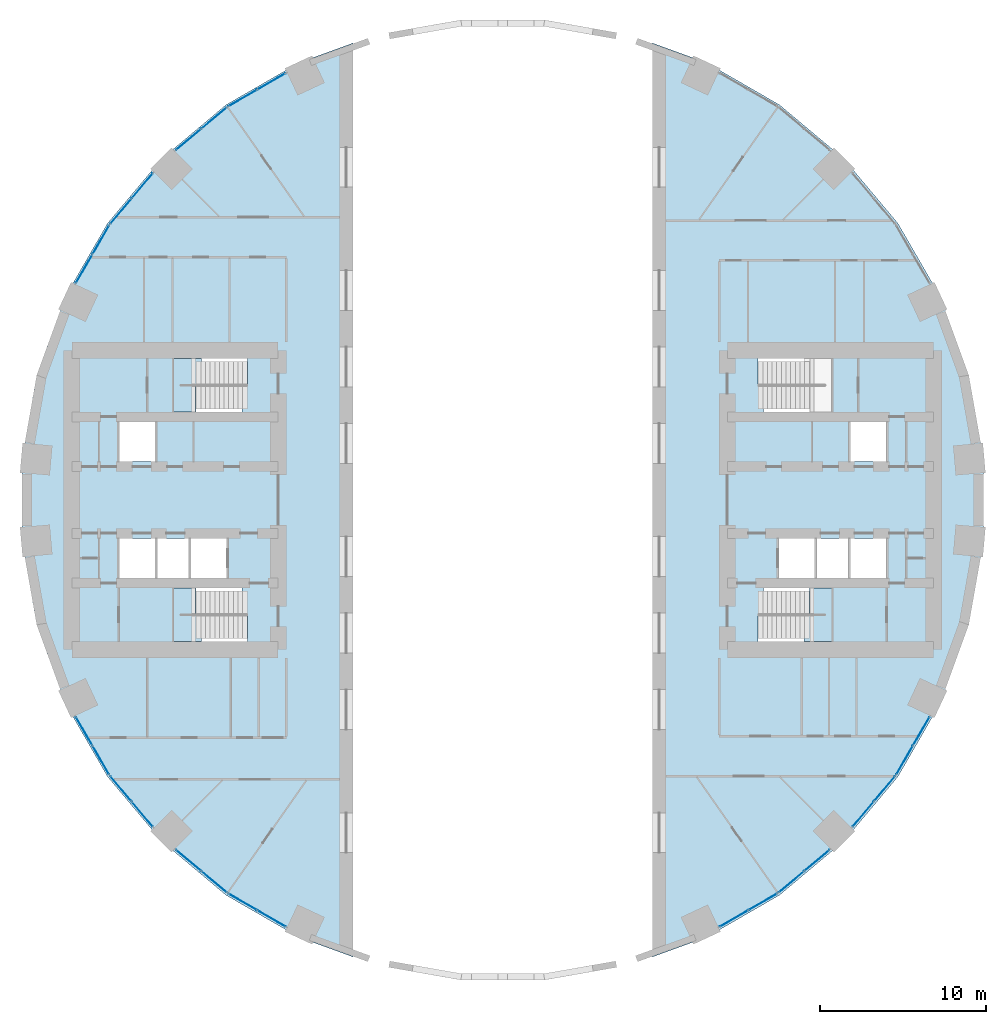
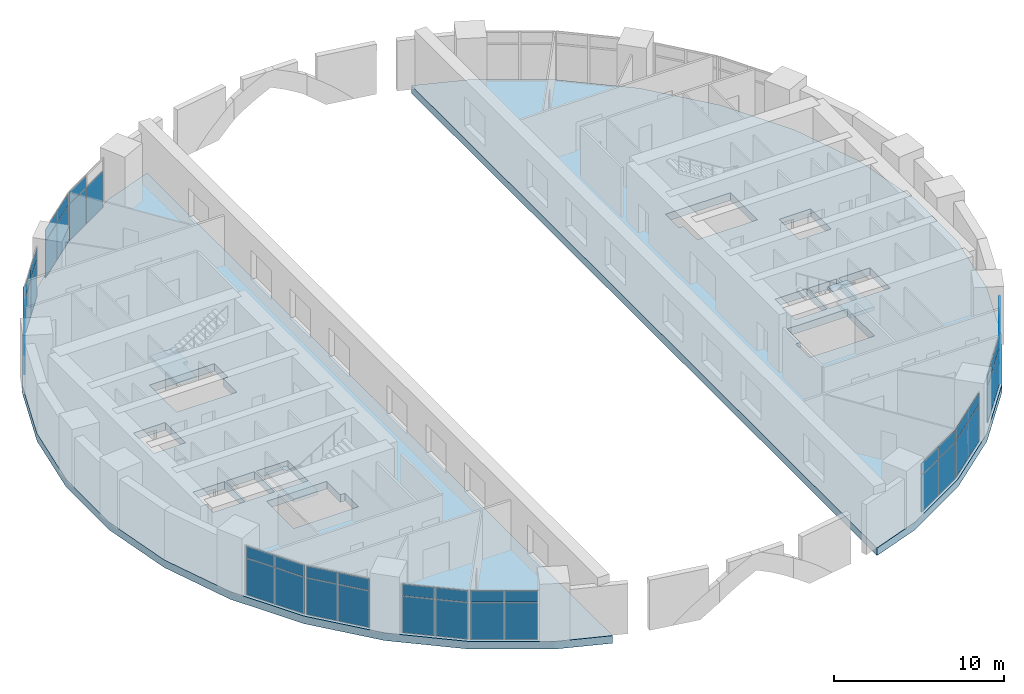
# One storey, part 8 of 15: 47 plates, 5 slabs, 15 elements without a shape of their own.
"""IFC4 building model written with IfcOpenShell, lengths in metres."""

from ifc_helpers import new_model, si_unit, direction, frame, origin, origin_2d, place, context, subcontext, project, spatial, polyline, rectangle, outline, extrude, material, layer, layer_set, type_object, element, aggregate, save


model = new_model("IFC4")

# Units and contexts
model_context = context("Model", 3, precision=1e-05, world=origin(), true_north=direction((0.0, 1.0)))
body_context = subcontext(model_context, "Body", "Model", "MODEL_VIEW")
ifc_project = project(units=[si_unit("LENGTHUNIT", "METRE"), si_unit("AREAUNIT", "SQUARE_METRE"), si_unit("VOLUMEUNIT", "CUBIC_METRE"), si_unit("PLANEANGLEUNIT", "RADIAN"), si_unit("MASSUNIT", "GRAM", prefix="KILO")], contexts=[model_context])

# Site, building, storey
site_placement = place(None, origin())
site = spatial("IfcSite", under=ifc_project, at=site_placement, CompositionType="ELEMENT")
building_placement = place(site_placement, origin())
building = spatial("IfcBuilding", under=site, at=building_placement, Name="Saqina Gate Tower", CompositionType="ELEMENT")
storey_placement = place(building_placement, frame((0.0, 0.0, 17.60009765625)))
storey = spatial("IfcBuildingStorey", under=building, at=storey_placement, Name="L04", CompositionType="ELEMENT", Elevation=17.60009765625)

# Curtain wall, plates
ifc_material_1 = material(Name="Aluminium glazing", Category="aluminium")
ifc_layer_1 = layer(ifc_material_1, 0.159912109375)
ifc_layer_set_1 = layer_set([ifc_layer_1], Name="CWT-1")
curtain_wall_type = type_object("IfcCurtainWallType", Name="CWT-1", PredefinedType="NOTDEFINED", material=ifc_layer_set_1)
curtain_wall_1_placement = place(storey_placement, origin())
curtain_wall_1 = element("IfcCurtainWall", 1, at=curtain_wall_1_placement, inside=storey, type_object=curtain_wall_type, Name="Podium shopfront facet 12", PredefinedType="NOTDEFINED")
ifc_material_2 = material(Name="Glass", Category="glass")
ifc_layer_2 = layer(ifc_material_2, 0.028076171875)
ifc_layer_set_2 = layer_set([ifc_layer_2], Name="CWT-1P")
plate_type = type_object("IfcPlateType", Name="CWT-1P", PredefinedType="CURTAIN_PANEL", material=ifc_layer_set_2)
plate_1_placement = place(storey_placement, frame((-13.90283203125, 25.158935546875, 0.06005859375), z_axis=(0.0, 0.0, 1.0), x_axis=(-0.866017381415, -0.500013894893, 0.0)))
plate_1 = element("IfcPlate", 2, at=plate_1_placement, type_object=plate_type, Name="CW1-12 panel 1.1", PredefinedType="CURTAIN_PANEL", context=body_context, shape_type="SweptSolid", body=[
    extrude(rectangle(XDim=1.944580078125, YDim=0.028076171875, at=origin_2d()), origin(), (0.0, 0.0, 1.0), 2.610107421875),
])
plate_2_placement = place(storey_placement, frame((-15.638671875, 24.15673828125, 0.06005859375), z_axis=(0.0, 0.0, 1.0), x_axis=(-0.866017381415, -0.500013894893, 0.0)))
plate_2 = element("IfcPlate", 3, at=plate_2_placement, type_object=plate_type, Name="CW1-12 panel 2.1", PredefinedType="CURTAIN_PANEL", context=body_context, shape_type="SweptSolid", body=[
    extrude(rectangle(XDim=1.944580078125, YDim=0.028076171875, at=origin_2d()), origin(), (0.0, 0.0, 1.0), 2.610107421875),
])
plate_3_placement = place(storey_placement, frame((-15.638671875, 24.15673828125, 2.72998046875), z_axis=(0.0, 0.0, 1.0), x_axis=(-0.866017381415, -0.500013894893, 0.0)))
plate_3 = element("IfcPlate", 4, at=plate_3_placement, type_object=plate_type, Name="CW1-12 panel 2.2", PredefinedType="CURTAIN_PANEL", context=body_context, shape_type="SweptSolid", body=[
    extrude(rectangle(XDim=1.944580078125, YDim=0.028076171875, at=origin_2d()), origin(), (0.0, 0.0, 1.0), 0.81005859375),
])
aggregate(curtain_wall_1, [plate_1, plate_2, plate_3])

curtain_wall_2_placement = place(storey_placement, origin())
curtain_wall_2 = element("IfcCurtainWall", 5, at=curtain_wall_2_placement, inside=storey, type_object=curtain_wall_type, Name="Podium shopfront facet 13", PredefinedType="NOTDEFINED")
plate_4_placement = place(storey_placement, frame((-17.35107421875, 22.957763671875, 0.06005859375), z_axis=(0.0, 0.0, 1.0), x_axis=(-0.766051396473, -0.642779322911, 0.0)))
plate_4 = element("IfcPlate", 6, at=plate_4_placement, type_object=plate_type, Name="CW1-13 panel 1.1", PredefinedType="CURTAIN_PANEL", context=body_context, shape_type="SweptSolid", body=[
    extrude(rectangle(XDim=1.944580078125, YDim=0.028076171875, at=origin_2d()), origin(), (0.0, 0.0, 1.0), 2.610107421875),
])
plate_5_placement = place(storey_placement, frame((-17.35107421875, 22.957763671875, 2.72998046875), z_axis=(0.0, 0.0, 1.0), x_axis=(-0.766051396473, -0.642779322911, 0.0)))
plate_5 = element("IfcPlate", 7, at=plate_5_placement, type_object=plate_type, Name="CW1-13 panel 1.2", PredefinedType="CURTAIN_PANEL", context=body_context, shape_type="SweptSolid", body=[
    extrude(rectangle(XDim=1.944580078125, YDim=0.028076171875, at=origin_2d()), origin(), (0.0, 0.0, 1.0), 0.81005859375),
])
plate_6_placement = place(storey_placement, frame((-18.88671875, 21.669189453125, 0.06005859375), z_axis=(0.0, 0.0, 1.0), x_axis=(-0.766051396473, -0.642779322911, 0.0)))
plate_6 = element("IfcPlate", 8, at=plate_6_placement, type_object=plate_type, Name="CW1-13 panel 2.1", PredefinedType="CURTAIN_PANEL", context=body_context, shape_type="SweptSolid", body=[
    extrude(rectangle(XDim=1.944580078125, YDim=0.028076171875, at=origin_2d()), origin(), (0.0, 0.0, 1.0), 2.610107421875),
])
plate_7_placement = place(storey_placement, frame((-18.88671875, 21.669189453125, 2.72998046875), z_axis=(0.0, 0.0, 1.0), x_axis=(-0.766051396473, -0.642779322911, 0.0)))
plate_7 = element("IfcPlate", 9, at=plate_7_placement, type_object=plate_type, Name="CW1-13 panel 2.2", PredefinedType="CURTAIN_PANEL", context=body_context, shape_type="SweptSolid", body=[
    extrude(rectangle(XDim=1.944580078125, YDim=0.028076171875, at=origin_2d()), origin(), (0.0, 0.0, 1.0), 0.81005859375),
])
aggregate(curtain_wall_2, [plate_4, plate_5, plate_6, plate_7])

curtain_wall_3_placement = place(storey_placement, origin())
curtain_wall_3 = element("IfcCurtainWall", 10, at=curtain_wall_3_placement, inside=storey, type_object=curtain_wall_type, Name="Podium shopfront facet 14", PredefinedType="NOTDEFINED")
plate_8_placement = place(storey_placement, frame((-21.669189453125, 18.88671875, 0.06005859375), z_axis=(0.0, 0.0, 1.0), x_axis=(-0.642779322911, -0.766051396473, 0.0)))
plate_8 = element("IfcPlate", 11, at=plate_8_placement, type_object=plate_type, Name="CW1-14 panel 1.1", PredefinedType="CURTAIN_PANEL", context=body_context, shape_type="SweptSolid", body=[
    extrude(rectangle(XDim=1.944580078125, YDim=0.028076171875, at=origin_2d()), origin(), (0.0, 0.0, 1.0), 2.610107421875),
])
plate_9_placement = place(storey_placement, frame((-21.669189453125, 18.88671875, 2.72998046875), z_axis=(0.0, 0.0, 1.0), x_axis=(-0.642779322911, -0.766051396473, 0.0)))
plate_9 = element("IfcPlate", 12, at=plate_9_placement, type_object=plate_type, Name="CW1-14 panel 1.2", PredefinedType="CURTAIN_PANEL", context=body_context, shape_type="SweptSolid", body=[
    extrude(rectangle(XDim=1.944580078125, YDim=0.028076171875, at=origin_2d()), origin(), (0.0, 0.0, 1.0), 0.81005859375),
])
plate_10_placement = place(storey_placement, frame((-22.957763671875, 17.35107421875, 0.06005859375), z_axis=(0.0, 0.0, 1.0), x_axis=(-0.642779322911, -0.766051396473, 0.0)))
plate_10 = element("IfcPlate", 13, at=plate_10_placement, type_object=plate_type, Name="CW1-14 panel 2.1", PredefinedType="CURTAIN_PANEL", context=body_context, shape_type="SweptSolid", body=[
    extrude(rectangle(XDim=1.944580078125, YDim=0.028076171875, at=origin_2d()), origin(), (0.0, 0.0, 1.0), 2.610107421875),
])
plate_11_placement = place(storey_placement, frame((-22.957763671875, 17.35107421875, 2.72998046875), z_axis=(0.0, 0.0, 1.0), x_axis=(-0.642779322911, -0.766051396473, 0.0)))
plate_11 = element("IfcPlate", 14, at=plate_11_placement, type_object=plate_type, Name="CW1-14 panel 2.2", PredefinedType="CURTAIN_PANEL", context=body_context, shape_type="SweptSolid", body=[
    extrude(rectangle(XDim=1.944580078125, YDim=0.028076171875, at=origin_2d()), origin(), (0.0, 0.0, 1.0), 0.81005859375),
])
aggregate(curtain_wall_3, [plate_8, plate_9, plate_10, plate_11])

curtain_wall_4_placement = place(storey_placement, origin())
curtain_wall_4 = element("IfcCurtainWall", 15, at=curtain_wall_4_placement, inside=storey, type_object=curtain_wall_type, Name="Podium shopfront facet 15", PredefinedType="NOTDEFINED")
plate_12_placement = place(storey_placement, frame((-24.15673828125, 15.638671875, 0.06005859375), z_axis=(0.0, 0.0, 1.0), x_axis=(-0.500013894893, -0.866017381415, 0.0)))
plate_12 = element("IfcPlate", 16, at=plate_12_placement, type_object=plate_type, Name="CW1-15 panel 1.1", PredefinedType="CURTAIN_PANEL", context=body_context, shape_type="SweptSolid", body=[
    extrude(rectangle(XDim=1.944580078125, YDim=0.028076171875, at=origin_2d()), origin(), (0.0, 0.0, 1.0), 2.610107421875),
])
plate_13_placement = place(storey_placement, frame((-24.15673828125, 15.638671875, 2.72998046875), z_axis=(0.0, 0.0, 1.0), x_axis=(-0.500013894893, -0.866017381415, 0.0)))
plate_13 = element("IfcPlate", 17, at=plate_13_placement, type_object=plate_type, Name="CW1-15 panel 1.2", PredefinedType="CURTAIN_PANEL", context=body_context, shape_type="SweptSolid", body=[
    extrude(rectangle(XDim=1.944580078125, YDim=0.028076171875, at=origin_2d()), origin(), (0.0, 0.0, 1.0), 0.81005859375),
])
plate_14_placement = place(storey_placement, frame((-25.158935546875, 13.90283203125, 0.06005859375), z_axis=(0.0, 0.0, 1.0), x_axis=(-0.500013894893, -0.866017381415, 0.0)))
plate_14 = element("IfcPlate", 18, at=plate_14_placement, type_object=plate_type, Name="CW1-15 panel 2.1", PredefinedType="CURTAIN_PANEL", context=body_context, shape_type="SweptSolid", body=[
    extrude(rectangle(XDim=1.944580078125, YDim=0.028076171875, at=origin_2d()), origin(), (0.0, 0.0, 1.0), 2.610107421875),
])
plate_15_placement = place(storey_placement, frame((-25.158935546875, 13.90283203125, 2.72998046875), z_axis=(0.0, 0.0, 1.0), x_axis=(-0.500013894893, -0.866017381415, 0.0)))
plate_15 = element("IfcPlate", 19, at=plate_15_placement, type_object=plate_type, Name="CW1-15 panel 2.2", PredefinedType="CURTAIN_PANEL", context=body_context, shape_type="SweptSolid", body=[
    extrude(rectangle(XDim=1.944580078125, YDim=0.028076171875, at=origin_2d()), origin(), (0.0, 0.0, 1.0), 0.81005859375),
])
aggregate(curtain_wall_4, [plate_12, plate_13, plate_14, plate_15])

curtain_wall_5_placement = place(storey_placement, origin())
curtain_wall_5 = element("IfcCurtainWall", 20, at=curtain_wall_5_placement, inside=storey, type_object=curtain_wall_type, Name="Podium shopfront facet 21", PredefinedType="NOTDEFINED")
plate_16_placement = place(storey_placement, frame((-25.158935546875, -13.90283203125, 0.06005859375), z_axis=(0.0, 0.0, 1.0), x_axis=(0.500013894893, -0.866017381415, 0.0)))
plate_16 = element("IfcPlate", 21, at=plate_16_placement, type_object=plate_type, Name="CW1-21 panel 1.1", PredefinedType="CURTAIN_PANEL", context=body_context, shape_type="SweptSolid", body=[
    extrude(rectangle(XDim=1.944580078125, YDim=0.028076171875, at=origin_2d()), origin(), (0.0, 0.0, 1.0), 2.610107421875),
])
plate_17_placement = place(storey_placement, frame((-25.158935546875, -13.90283203125, 2.72998046875), z_axis=(0.0, 0.0, 1.0), x_axis=(0.500013894893, -0.866017381415, 0.0)))
plate_17 = element("IfcPlate", 22, at=plate_17_placement, type_object=plate_type, Name="CW1-21 panel 1.2", PredefinedType="CURTAIN_PANEL", context=body_context, shape_type="SweptSolid", body=[
    extrude(rectangle(XDim=1.944580078125, YDim=0.028076171875, at=origin_2d()), origin(), (0.0, 0.0, 1.0), 0.81005859375),
])
plate_18_placement = place(storey_placement, frame((-24.15673828125, -15.638671875, 0.06005859375), z_axis=(0.0, 0.0, 1.0), x_axis=(0.500013894893, -0.866017381415, 0.0)))
plate_18 = element("IfcPlate", 23, at=plate_18_placement, type_object=plate_type, Name="CW1-21 panel 2.1", PredefinedType="CURTAIN_PANEL", context=body_context, shape_type="SweptSolid", body=[
    extrude(rectangle(XDim=1.944580078125, YDim=0.028076171875, at=origin_2d()), origin(), (0.0, 0.0, 1.0), 2.610107421875),
])
plate_19_placement = place(storey_placement, frame((-24.15673828125, -15.638671875, 2.72998046875), z_axis=(0.0, 0.0, 1.0), x_axis=(0.500013894893, -0.866017381415, 0.0)))
plate_19 = element("IfcPlate", 24, at=plate_19_placement, type_object=plate_type, Name="CW1-21 panel 2.2", PredefinedType="CURTAIN_PANEL", context=body_context, shape_type="SweptSolid", body=[
    extrude(rectangle(XDim=1.944580078125, YDim=0.028076171875, at=origin_2d()), origin(), (0.0, 0.0, 1.0), 0.81005859375),
])
aggregate(curtain_wall_5, [plate_16, plate_17, plate_18, plate_19])

curtain_wall_6_placement = place(storey_placement, origin())
curtain_wall_6 = element("IfcCurtainWall", 25, at=curtain_wall_6_placement, inside=storey, type_object=curtain_wall_type, Name="Podium shopfront facet 22", PredefinedType="NOTDEFINED")
plate_20_placement = place(storey_placement, frame((-22.957763671875, -17.35107421875, 0.06005859375), z_axis=(0.0, 0.0, 1.0), x_axis=(0.642779322911, -0.766051396473, 0.0)))
plate_20 = element("IfcPlate", 26, at=plate_20_placement, type_object=plate_type, Name="CW1-22 panel 1.1", PredefinedType="CURTAIN_PANEL", context=body_context, shape_type="SweptSolid", body=[
    extrude(rectangle(XDim=1.944580078125, YDim=0.028076171875, at=origin_2d()), origin(), (0.0, 0.0, 1.0), 2.610107421875),
])
plate_21_placement = place(storey_placement, frame((-22.957763671875, -17.35107421875, 2.72998046875), z_axis=(0.0, 0.0, 1.0), x_axis=(0.642779322911, -0.766051396473, 0.0)))
plate_21 = element("IfcPlate", 27, at=plate_21_placement, type_object=plate_type, Name="CW1-22 panel 1.2", PredefinedType="CURTAIN_PANEL", context=body_context, shape_type="SweptSolid", body=[
    extrude(rectangle(XDim=1.944580078125, YDim=0.028076171875, at=origin_2d()), origin(), (0.0, 0.0, 1.0), 0.81005859375),
])
plate_22_placement = place(storey_placement, frame((-21.669189453125, -18.88671875, 0.06005859375), z_axis=(0.0, 0.0, 1.0), x_axis=(0.642779322911, -0.766051396473, 0.0)))
plate_22 = element("IfcPlate", 28, at=plate_22_placement, type_object=plate_type, Name="CW1-22 panel 2.1", PredefinedType="CURTAIN_PANEL", context=body_context, shape_type="SweptSolid", body=[
    extrude(rectangle(XDim=1.944580078125, YDim=0.028076171875, at=origin_2d()), origin(), (0.0, 0.0, 1.0), 2.610107421875),
])
plate_23_placement = place(storey_placement, frame((-21.669189453125, -18.88671875, 2.72998046875), z_axis=(0.0, 0.0, 1.0), x_axis=(0.642779322911, -0.766051396473, 0.0)))
plate_23 = element("IfcPlate", 29, at=plate_23_placement, type_object=plate_type, Name="CW1-22 panel 2.2", PredefinedType="CURTAIN_PANEL", context=body_context, shape_type="SweptSolid", body=[
    extrude(rectangle(XDim=1.944580078125, YDim=0.028076171875, at=origin_2d()), origin(), (0.0, 0.0, 1.0), 0.81005859375),
])
aggregate(curtain_wall_6, [plate_20, plate_21, plate_22, plate_23])

curtain_wall_7_placement = place(storey_placement, origin())
curtain_wall_7 = element("IfcCurtainWall", 30, at=curtain_wall_7_placement, inside=storey, type_object=curtain_wall_type, Name="Podium shopfront facet 23", PredefinedType="NOTDEFINED")
plate_24_placement = place(storey_placement, frame((-18.88671875, -21.669189453125, 0.06005859375), z_axis=(0.0, 0.0, 1.0), x_axis=(0.766051396473, -0.642779322911, 0.0)))
plate_24 = element("IfcPlate", 31, at=plate_24_placement, type_object=plate_type, Name="CW1-23 panel 1.1", PredefinedType="CURTAIN_PANEL", context=body_context, shape_type="SweptSolid", body=[
    extrude(rectangle(XDim=1.944580078125, YDim=0.028076171875, at=origin_2d()), origin(), (0.0, 0.0, 1.0), 2.610107421875),
])
plate_25_placement = place(storey_placement, frame((-18.88671875, -21.669189453125, 2.72998046875), z_axis=(0.0, 0.0, 1.0), x_axis=(0.766051396473, -0.642779322911, 0.0)))
plate_25 = element("IfcPlate", 32, at=plate_25_placement, type_object=plate_type, Name="CW1-23 panel 1.2", PredefinedType="CURTAIN_PANEL", context=body_context, shape_type="SweptSolid", body=[
    extrude(rectangle(XDim=1.944580078125, YDim=0.028076171875, at=origin_2d()), origin(), (0.0, 0.0, 1.0), 0.81005859375),
])
plate_26_placement = place(storey_placement, frame((-17.35107421875, -22.957763671875, 0.06005859375), z_axis=(0.0, 0.0, 1.0), x_axis=(0.766051396473, -0.642779322911, 0.0)))
plate_26 = element("IfcPlate", 33, at=plate_26_placement, type_object=plate_type, Name="CW1-23 panel 2.1", PredefinedType="CURTAIN_PANEL", context=body_context, shape_type="SweptSolid", body=[
    extrude(rectangle(XDim=1.944580078125, YDim=0.028076171875, at=origin_2d()), origin(), (0.0, 0.0, 1.0), 2.610107421875),
])
plate_27_placement = place(storey_placement, frame((-17.35107421875, -22.957763671875, 2.72998046875), z_axis=(0.0, 0.0, 1.0), x_axis=(0.766051396473, -0.642779322911, 0.0)))
plate_27 = element("IfcPlate", 34, at=plate_27_placement, type_object=plate_type, Name="CW1-23 panel 2.2", PredefinedType="CURTAIN_PANEL", context=body_context, shape_type="SweptSolid", body=[
    extrude(rectangle(XDim=1.944580078125, YDim=0.028076171875, at=origin_2d()), origin(), (0.0, 0.0, 1.0), 0.81005859375),
])
aggregate(curtain_wall_7, [plate_24, plate_25, plate_26, plate_27])

curtain_wall_8_placement = place(storey_placement, origin())
curtain_wall_8 = element("IfcCurtainWall", 35, at=curtain_wall_8_placement, inside=storey, type_object=curtain_wall_type, Name="Podium shopfront facet 24", PredefinedType="NOTDEFINED")
plate_28_placement = place(storey_placement, frame((-15.638671875, -24.15673828125, 0.06005859375), z_axis=(0.0, 0.0, 1.0), x_axis=(0.866017381415, -0.500013894893, 0.0)))
plate_28 = element("IfcPlate", 36, at=plate_28_placement, type_object=plate_type, Name="CW1-24 panel 1.1", PredefinedType="CURTAIN_PANEL", context=body_context, shape_type="SweptSolid", body=[
    extrude(rectangle(XDim=1.944580078125, YDim=0.028076171875, at=origin_2d()), origin(), (0.0, 0.0, 1.0), 2.610107421875),
])
plate_29_placement = place(storey_placement, frame((-15.638671875, -24.15673828125, 2.72998046875), z_axis=(0.0, 0.0, 1.0), x_axis=(0.866017381415, -0.500013894893, 0.0)))
plate_29 = element("IfcPlate", 37, at=plate_29_placement, type_object=plate_type, Name="CW1-24 panel 1.2", PredefinedType="CURTAIN_PANEL", context=body_context, shape_type="SweptSolid", body=[
    extrude(rectangle(XDim=1.944580078125, YDim=0.028076171875, at=origin_2d()), origin(), (0.0, 0.0, 1.0), 0.81005859375),
])
plate_30_placement = place(storey_placement, frame((-13.90283203125, -25.158935546875, 0.06005859375), z_axis=(0.0, 0.0, 1.0), x_axis=(0.866017381415, -0.500013894893, 0.0)))
plate_30 = element("IfcPlate", 38, at=plate_30_placement, type_object=plate_type, Name="CW1-24 panel 2.1", PredefinedType="CURTAIN_PANEL", context=body_context, shape_type="SweptSolid", body=[
    extrude(rectangle(XDim=1.944580078125, YDim=0.028076171875, at=origin_2d()), origin(), (0.0, 0.0, 1.0), 2.610107421875),
])
plate_31_placement = place(storey_placement, frame((-13.90283203125, -25.158935546875, 2.72998046875), z_axis=(0.0, 0.0, 1.0), x_axis=(0.866017381415, -0.500013894893, 0.0)))
plate_31 = element("IfcPlate", 39, at=plate_31_placement, type_object=plate_type, Name="CW1-24 panel 2.2", PredefinedType="CURTAIN_PANEL", context=body_context, shape_type="SweptSolid", body=[
    extrude(rectangle(XDim=1.944580078125, YDim=0.028076171875, at=origin_2d()), origin(), (0.0, 0.0, 1.0), 0.81005859375),
])
aggregate(curtain_wall_8, [plate_28, plate_29, plate_30, plate_31])

curtain_wall_9_placement = place(storey_placement, origin())
curtain_wall_9 = element("IfcCurtainWall", 40, at=curtain_wall_9_placement, inside=storey, type_object=curtain_wall_type, Name="Podium shopfront facet 30", PredefinedType="NOTDEFINED")
plate_32_placement = place(storey_placement, frame((13.90283203125, -25.158935546875, 0.06005859375), z_axis=(0.0, 0.0, 1.0), x_axis=(0.866017381415, 0.500013894893, 0.0)))
plate_32 = element("IfcPlate", 41, at=plate_32_placement, type_object=plate_type, Name="CW1-30 panel 1.1", PredefinedType="CURTAIN_PANEL", context=body_context, shape_type="SweptSolid", body=[
    extrude(rectangle(XDim=1.944580078125, YDim=0.028076171875, at=origin_2d()), origin(), (0.0, 0.0, 1.0), 2.610107421875),
])
plate_33_placement = place(storey_placement, frame((13.90283203125, -25.158935546875, 2.72998046875), z_axis=(0.0, 0.0, 1.0), x_axis=(0.866017381415, 0.500013894893, 0.0)))
plate_33 = element("IfcPlate", 42, at=plate_33_placement, type_object=plate_type, Name="CW1-30 panel 1.2", PredefinedType="CURTAIN_PANEL", context=body_context, shape_type="SweptSolid", body=[
    extrude(rectangle(XDim=1.944580078125, YDim=0.028076171875, at=origin_2d()), origin(), (0.0, 0.0, 1.0), 0.81005859375),
])
plate_34_placement = place(storey_placement, frame((15.638671875, -24.15673828125, 0.06005859375), z_axis=(0.0, 0.0, 1.0), x_axis=(0.866017381415, 0.500013894893, 0.0)))
plate_34 = element("IfcPlate", 43, at=plate_34_placement, type_object=plate_type, Name="CW1-30 panel 2.1", PredefinedType="CURTAIN_PANEL", context=body_context, shape_type="SweptSolid", body=[
    extrude(rectangle(XDim=1.944580078125, YDim=0.028076171875, at=origin_2d()), origin(), (0.0, 0.0, 1.0), 2.610107421875),
])
plate_35_placement = place(storey_placement, frame((15.638671875, -24.15673828125, 2.72998046875), z_axis=(0.0, 0.0, 1.0), x_axis=(0.866017381415, 0.500013894893, 0.0)))
plate_35 = element("IfcPlate", 44, at=plate_35_placement, type_object=plate_type, Name="CW1-30 panel 2.2", PredefinedType="CURTAIN_PANEL", context=body_context, shape_type="SweptSolid", body=[
    extrude(rectangle(XDim=1.944580078125, YDim=0.028076171875, at=origin_2d()), origin(), (0.0, 0.0, 1.0), 0.81005859375),
])
aggregate(curtain_wall_9, [plate_32, plate_33, plate_34, plate_35])

curtain_wall_10_placement = place(storey_placement, origin())
curtain_wall_10 = element("IfcCurtainWall", 45, at=curtain_wall_10_placement, inside=storey, type_object=curtain_wall_type, Name="Podium shopfront facet 31", PredefinedType="NOTDEFINED")
plate_36_placement = place(storey_placement, frame((17.35107421875, -22.957763671875, 0.06005859375), z_axis=(0.0, 0.0, 1.0), x_axis=(0.766051396473, 0.642779322911, 0.0)))
plate_36 = element("IfcPlate", 46, at=plate_36_placement, type_object=plate_type, Name="CW1-31 panel 1.1", PredefinedType="CURTAIN_PANEL", context=body_context, shape_type="SweptSolid", body=[
    extrude(rectangle(XDim=1.944580078125, YDim=0.028076171875, at=origin_2d()), origin(), (0.0, 0.0, 1.0), 2.610107421875),
])
plate_37_placement = place(storey_placement, frame((17.35107421875, -22.957763671875, 2.72998046875), z_axis=(0.0, 0.0, 1.0), x_axis=(0.766051396473, 0.642779322911, 0.0)))
plate_37 = element("IfcPlate", 47, at=plate_37_placement, type_object=plate_type, Name="CW1-31 panel 1.2", PredefinedType="CURTAIN_PANEL", context=body_context, shape_type="SweptSolid", body=[
    extrude(rectangle(XDim=1.944580078125, YDim=0.028076171875, at=origin_2d()), origin(), (0.0, 0.0, 1.0), 0.81005859375),
])
plate_38_placement = place(storey_placement, frame((18.88671875, -21.669189453125, 0.06005859375), z_axis=(0.0, 0.0, 1.0), x_axis=(0.766051396473, 0.642779322911, 0.0)))
plate_38 = element("IfcPlate", 48, at=plate_38_placement, type_object=plate_type, Name="CW1-31 panel 2.1", PredefinedType="CURTAIN_PANEL", context=body_context, shape_type="SweptSolid", body=[
    extrude(rectangle(XDim=1.944580078125, YDim=0.028076171875, at=origin_2d()), origin(), (0.0, 0.0, 1.0), 2.610107421875),
])
plate_39_placement = place(storey_placement, frame((18.88671875, -21.669189453125, 2.72998046875), z_axis=(0.0, 0.0, 1.0), x_axis=(0.766051396473, 0.642779322911, 0.0)))
plate_39 = element("IfcPlate", 49, at=plate_39_placement, type_object=plate_type, Name="CW1-31 panel 2.2", PredefinedType="CURTAIN_PANEL", context=body_context, shape_type="SweptSolid", body=[
    extrude(rectangle(XDim=1.944580078125, YDim=0.028076171875, at=origin_2d()), origin(), (0.0, 0.0, 1.0), 0.81005859375),
])
aggregate(curtain_wall_10, [plate_36, plate_37, plate_38, plate_39])

curtain_wall_11_placement = place(storey_placement, origin())
curtain_wall_11 = element("IfcCurtainWall", 50, at=curtain_wall_11_placement, inside=storey, type_object=curtain_wall_type, Name="Podium shopfront facet 32", PredefinedType="NOTDEFINED")
plate_40_placement = place(storey_placement, frame((21.669189453125, -18.88671875, 0.06005859375), z_axis=(0.0, 0.0, 1.0), x_axis=(0.642779322911, 0.766051396473, 0.0)))
plate_40 = element("IfcPlate", 51, at=plate_40_placement, type_object=plate_type, Name="CW1-32 panel 1.1", PredefinedType="CURTAIN_PANEL", context=body_context, shape_type="SweptSolid", body=[
    extrude(rectangle(XDim=1.944580078125, YDim=0.028076171875, at=origin_2d()), origin(), (0.0, 0.0, 1.0), 2.610107421875),
])
plate_41_placement = place(storey_placement, frame((21.669189453125, -18.88671875, 2.72998046875), z_axis=(0.0, 0.0, 1.0), x_axis=(0.642779322911, 0.766051396473, 0.0)))
plate_41 = element("IfcPlate", 52, at=plate_41_placement, type_object=plate_type, Name="CW1-32 panel 1.2", PredefinedType="CURTAIN_PANEL", context=body_context, shape_type="SweptSolid", body=[
    extrude(rectangle(XDim=1.944580078125, YDim=0.028076171875, at=origin_2d()), origin(), (0.0, 0.0, 1.0), 0.81005859375),
])
plate_42_placement = place(storey_placement, frame((22.957763671875, -17.35107421875, 0.06005859375), z_axis=(0.0, 0.0, 1.0), x_axis=(0.642779322911, 0.766051396473, 0.0)))
plate_42 = element("IfcPlate", 53, at=plate_42_placement, type_object=plate_type, Name="CW1-32 panel 2.1", PredefinedType="CURTAIN_PANEL", context=body_context, shape_type="SweptSolid", body=[
    extrude(rectangle(XDim=1.944580078125, YDim=0.028076171875, at=origin_2d()), origin(), (0.0, 0.0, 1.0), 2.610107421875),
])
plate_43_placement = place(storey_placement, frame((22.957763671875, -17.35107421875, 2.72998046875), z_axis=(0.0, 0.0, 1.0), x_axis=(0.642779322911, 0.766051396473, 0.0)))
plate_43 = element("IfcPlate", 54, at=plate_43_placement, type_object=plate_type, Name="CW1-32 panel 2.2", PredefinedType="CURTAIN_PANEL", context=body_context, shape_type="SweptSolid", body=[
    extrude(rectangle(XDim=1.944580078125, YDim=0.028076171875, at=origin_2d()), origin(), (0.0, 0.0, 1.0), 0.81005859375),
])
aggregate(curtain_wall_11, [plate_40, plate_41, plate_42, plate_43])

curtain_wall_12_placement = place(storey_placement, origin())
curtain_wall_12 = element("IfcCurtainWall", 55, at=curtain_wall_12_placement, inside=storey, type_object=curtain_wall_type, Name="Podium shopfront facet 33", PredefinedType="NOTDEFINED")
plate_44_placement = place(storey_placement, frame((24.15673828125, -15.638671875, 0.06005859375), z_axis=(0.0, 0.0, 1.0), x_axis=(0.500013894893, 0.866017381415, 0.0)))
plate_44 = element("IfcPlate", 56, at=plate_44_placement, type_object=plate_type, Name="CW1-33 panel 1.1", PredefinedType="CURTAIN_PANEL", context=body_context, shape_type="SweptSolid", body=[
    extrude(rectangle(XDim=1.944580078125, YDim=0.028076171875, at=origin_2d()), origin(), (0.0, 0.0, 1.0), 2.610107421875),
])
plate_45_placement = place(storey_placement, frame((24.15673828125, -15.638671875, 2.72998046875), z_axis=(0.0, 0.0, 1.0), x_axis=(0.500013894893, 0.866017381415, 0.0)))
plate_45 = element("IfcPlate", 57, at=plate_45_placement, type_object=plate_type, Name="CW1-33 panel 1.2", PredefinedType="CURTAIN_PANEL", context=body_context, shape_type="SweptSolid", body=[
    extrude(rectangle(XDim=1.944580078125, YDim=0.028076171875, at=origin_2d()), origin(), (0.0, 0.0, 1.0), 0.81005859375),
])
plate_46_placement = place(storey_placement, frame((25.158935546875, -13.90283203125, 0.06005859375), z_axis=(0.0, 0.0, 1.0), x_axis=(0.500013894893, 0.866017381415, 0.0)))
plate_46 = element("IfcPlate", 58, at=plate_46_placement, type_object=plate_type, Name="CW1-33 panel 2.1", PredefinedType="CURTAIN_PANEL", context=body_context, shape_type="SweptSolid", body=[
    extrude(rectangle(XDim=1.944580078125, YDim=0.028076171875, at=origin_2d()), origin(), (0.0, 0.0, 1.0), 2.610107421875),
])
plate_47_placement = place(storey_placement, frame((25.158935546875, -13.90283203125, 2.72998046875), z_axis=(0.0, 0.0, 1.0), x_axis=(0.500013894893, 0.866017381415, 0.0)))
plate_47 = element("IfcPlate", 59, at=plate_47_placement, type_object=plate_type, Name="CW1-33 panel 2.2", PredefinedType="CURTAIN_PANEL", context=body_context, shape_type="SweptSolid", body=[
    extrude(rectangle(XDim=1.944580078125, YDim=0.028076171875, at=origin_2d()), origin(), (0.0, 0.0, 1.0), 0.81005859375),
])
aggregate(curtain_wall_12, [plate_44, plate_45, plate_46, plate_47])

# Stair, slab
ifc_material_3 = material(Name="Concrete C40/50", Category="concrete")
stair_type = type_object("IfcStairType", Name="EXIT STAIR", PredefinedType="HALF_TURN_STAIR", material=ifc_material_3)
stair_1_placement = place(storey_placement, origin())
stair_1 = element("IfcStair", 60, at=stair_1_placement, inside=storey, type_object=stair_type, Name="EXIT STAIR 2", PredefinedType="HALF_TURN_STAIR")
ifc_material_4 = material(Name="Concrete C40/50", Category="concrete")
ifc_layer_3 = layer(ifc_material_4, 0.25)
ifc_layer_set_3 = layer_set([ifc_layer_3], Name="Concrete C40/50")
slab_type_1 = type_object("IfcSlabType", Name="EXIT STAIR LANDING", PredefinedType="LANDING", material=ifc_layer_set_3)
slab_1_placement = place(storey_placement, frame((0.0, 0.0, 1.849853515625)))
slab_1 = element("IfcSlab", 61, at=slab_1_placement, type_object=slab_type_1, Name="EXIT STAIR 2 LANDING 1", PredefinedType="LANDING", context=body_context, shape_type="SweptSolid", body=[
    extrude(outline(polyline([(18.10693359375, -8.5), (18.10693359375, -6.89990234375), (18.425048828125, -6.89990234375), (18.425048828125, -5.300048828125), (19.780029296875, -5.300048828125), (19.780029296875, -8.5), (18.429931640625, -8.5), (18.425048828125, -8.5), (18.10693359375, -8.5)])), origin(), (0.0, 0.0, 1.0), 0.25),
])
aggregate(stair_1, [slab_1])

stair_2_placement = place(storey_placement, origin())
stair_2 = element("IfcStair", 62, at=stair_2_placement, inside=storey, type_object=stair_type, Name="EXIT STAIR 3", PredefinedType="HALF_TURN_STAIR")
slab_2_placement = place(storey_placement, frame((0.0, 0.0, 1.849853515625)))
slab_2 = element("IfcSlab", 63, at=slab_2_placement, type_object=slab_type_1, Name="EXIT STAIR 3 LANDING 1", PredefinedType="LANDING", context=body_context, shape_type="SweptSolid", body=[
    extrude(outline(polyline([(-18.425048828125, 5.300048828125), (-19.780029296875, 5.300048828125), (-19.780029296875, 8.5), (-18.429931640625, 8.5), (-18.425048828125, 8.5), (-18.10693359375, 8.5), (-18.10693359375, 6.89990234375), (-18.425048828125, 6.89990234375), (-18.425048828125, 5.300048828125)])), origin(), (0.0, 0.0, 1.0), 0.25),
])
aggregate(stair_2, [slab_2])

stair_3_placement = place(storey_placement, origin())
stair_3 = element("IfcStair", 64, at=stair_3_placement, inside=storey, type_object=stair_type, Name="EXIT STAIR 4", PredefinedType="HALF_TURN_STAIR")
slab_3_placement = place(storey_placement, frame((0.0, 0.0, 1.849853515625)))
slab_3 = element("IfcSlab", 65, at=slab_3_placement, type_object=slab_type_1, Name="EXIT STAIR 4 LANDING 1", PredefinedType="LANDING", context=body_context, shape_type="SweptSolid", body=[
    extrude(outline(polyline([(-18.10693359375, -6.89990234375), (-18.10693359375, -8.5), (-18.425048828125, -8.5), (-18.429931640625, -8.5), (-19.780029296875, -8.5), (-19.780029296875, -5.300048828125), (-18.425048828125, -5.300048828125), (-18.425048828125, -6.89990234375), (-18.10693359375, -6.89990234375)])), origin(), (0.0, 0.0, 1.0), 0.25),
])
aggregate(stair_3, [slab_3])

# Slabs
ifc_material_5 = material(Name="Concrete C40/50", Category="concrete")
ifc_layer_4 = layer(ifc_material_5, 0.550048828125)
ifc_layer_set_4 = layer_set([ifc_layer_4], Name="Concrete C40/50")
slab_type_2 = type_object("IfcSlabType", Name="STR-POST-TENSIONED FLAT PLATE FLOOR-550", PredefinedType="FLOOR", material=ifc_layer_set_4)
slab_4_placement = place(storey_placement, frame((0.0, 0.0, -0.550048828125)))
element("IfcSlab", 66, at=slab_4_placement, inside=storey, type_object=slab_type_2, Name="L04-SLB01", PredefinedType="FLOOR", context=body_context, shape_type="SweptSolid", body=[
    extrude(outline(polyline([(-16.6337890625, -23.75537109375), (-12.255859375, -26.282958984375), (-9.0, -27.468017578125), (-9.0, 27.468017578125), (-12.255859375, 26.282958984375), (-16.6337890625, 23.75537109375), (-20.506103515625, 20.506103515625), (-23.75537109375, 16.6337890625), (-26.282958984375, 12.255859375), (-28.011962890625, 7.505859375), (-28.8896484375, 2.527587890625), (-28.8896484375, -2.527587890625), (-28.011962890625, -7.505859375), (-26.282958984375, -12.255859375), (-23.75537109375, -16.6337890625), (-20.506103515625, -20.506103515625), (-16.6337890625, -23.75537109375)]), holes=[polyline([(-19.780029296875, -8.5), (-19.780029296875, -6.89990234375), (-19.780029296875, -5.300048828125), (-15.673095703125, -5.300048828125), (-15.673095703125, -6.89990234375), (-15.35498046875, -6.89990234375), (-15.35498046875, -8.5), (-19.780029296875, -8.5)]), polyline([(-20.89990234375, -2.300048828125), (-20.89990234375, -4.699951171875), (-23.06005859375, -4.699951171875), (-23.06005859375, -2.300048828125), (-20.89990234375, -2.300048828125)]), polyline([(-18.8701171875, -2.300048828125), (-18.8701171875, -4.699951171875), (-20.780029296875, -4.699951171875), (-20.780029296875, -2.300048828125), (-18.8701171875, -2.300048828125)]), polyline([(-16.590087890625, -2.300048828125), (-16.590087890625, -4.699951171875), (-18.75, -4.699951171875), (-18.75, -2.300048828125), (-16.590087890625, -2.300048828125)]), polyline([(-20.89990234375, 4.699951171875), (-20.89990234375, 2.300048828125), (-23.06005859375, 2.300048828125), (-23.06005859375, 4.699951171875), (-20.89990234375, 4.699951171875)]), polyline([(-19.780029296875, 6.89990234375), (-19.780029296875, 8.5), (-15.35498046875, 8.5), (-15.35498046875, 6.89990234375), (-15.673095703125, 6.89990234375), (-15.673095703125, 5.300048828125), (-19.780029296875, 5.300048828125), (-19.780029296875, 6.89990234375)])]), origin(), (0.0, 0.0, 1.0), 0.550048828125),
])
slab_5_placement = place(storey_placement, frame((0.0, 0.0, -0.550048828125)))
element("IfcSlab", 67, at=slab_5_placement, inside=storey, type_object=slab_type_2, Name="L04-SLB02", PredefinedType="FLOOR", context=body_context, shape_type="SweptSolid", body=[
    extrude(outline(polyline([(26.282958984375, -12.255859375), (28.011962890625, -7.505859375), (28.8896484375, -2.527587890625), (28.8896484375, 2.527587890625), (28.011962890625, 7.505859375), (26.282958984375, 12.255859375), (23.75537109375, 16.6337890625), (20.506103515625, 20.506103515625), (16.6337890625, 23.75537109375), (12.255859375, 26.282958984375), (9.0, 27.468017578125), (9.0, -27.468017578125), (12.255859375, -26.282958984375), (16.6337890625, -23.75537109375), (20.506103515625, -20.506103515625), (23.75537109375, -16.6337890625), (26.282958984375, -12.255859375)]), holes=[polyline([(15.35498046875, -6.89990234375), (15.673095703125, -6.89990234375), (15.673095703125, -5.300048828125), (19.780029296875, -5.300048828125), (19.780029296875, -6.89990234375), (19.780029296875, -8.5), (15.35498046875, -8.5), (15.35498046875, -6.89990234375)]), polyline([(18.75, -2.300048828125), (18.75, -4.699951171875), (16.590087890625, -4.699951171875), (16.590087890625, -2.300048828125), (18.75, -2.300048828125)]), polyline([(20.780029296875, -2.300048828125), (20.780029296875, -4.699951171875), (18.8701171875, -4.699951171875), (18.8701171875, -2.300048828125), (20.780029296875, -2.300048828125)]), polyline([(23.06005859375, -2.300048828125), (23.06005859375, -4.699951171875), (20.89990234375, -4.699951171875), (20.89990234375, -2.300048828125), (23.06005859375, -2.300048828125)]), polyline([(23.06005859375, 4.699951171875), (23.06005859375, 2.300048828125), (20.89990234375, 2.300048828125), (20.89990234375, 4.699951171875), (23.06005859375, 4.699951171875)]), polyline([(15.673095703125, 6.89990234375), (15.35498046875, 6.89990234375), (15.35498046875, 8.5), (19.780029296875, 8.5), (19.780029296875, 6.89990234375), (19.780029296875, 5.300048828125), (15.673095703125, 5.300048828125), (15.673095703125, 6.89990234375)])]), origin(), (0.0, 0.0, 1.0), 0.550048828125),
])

save(model, "model.ifc")
